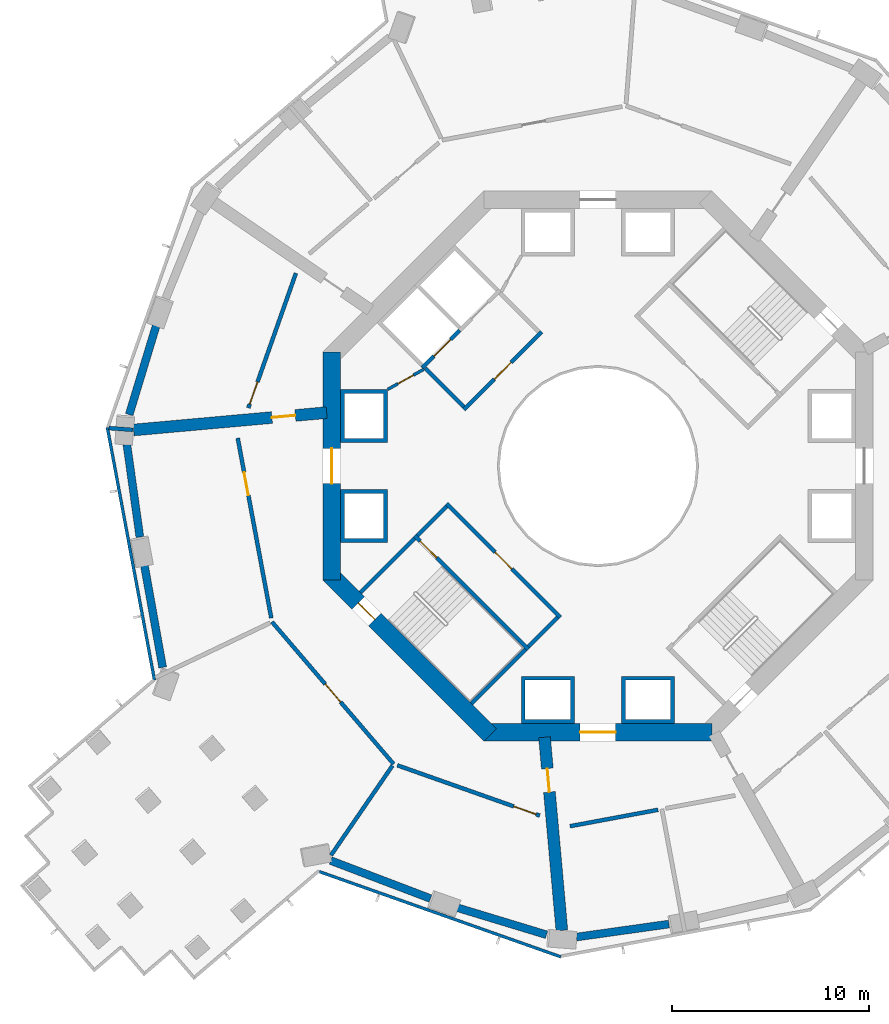
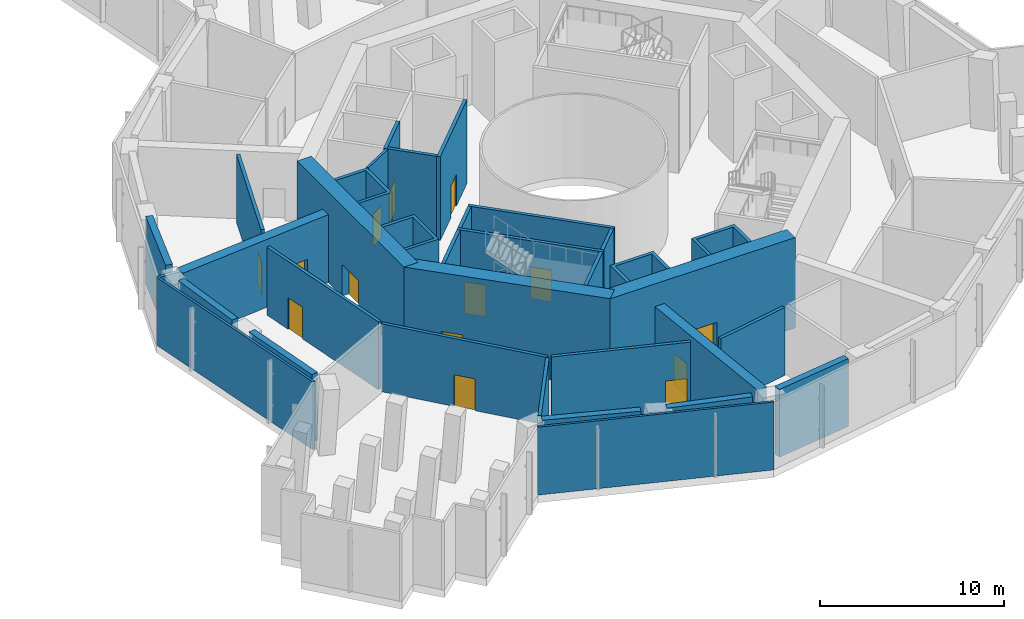
# One storey, part 3 of 20: 34 walls, 14 doors, 14 openings.
"""IFC4 building model written with IfcOpenShell, lengths in metres."""

from ifc_helpers import new_model, si_unit, direction, frame, frame_2d, origin, place, context, subcontext, project, spatial, polyline, rectangle, outline, extrude, material, layer, layer_set, type_object, element, fill, save


model = new_model("IFC4")

# Units and contexts
model_context = context("Model", 3, precision=1e-05, world=origin(), true_north=direction((0.0, 1.0)))
body_context = subcontext(model_context, "Body", "Model", "MODEL_VIEW")
ifc_project = project(units=[si_unit("LENGTHUNIT", "METRE"), si_unit("AREAUNIT", "SQUARE_METRE"), si_unit("VOLUMEUNIT", "CUBIC_METRE"), si_unit("PLANEANGLEUNIT", "RADIAN"), si_unit("MASSUNIT", "GRAM", prefix="KILO")], contexts=[model_context])

# Site, building, storey
site_placement = place(None, origin())
site = spatial("IfcSite", under=ifc_project, at=site_placement, CompositionType="ELEMENT")
building_placement = place(site_placement, origin())
building = spatial("IfcBuilding", under=site, at=building_placement, Name="Verdalira Terraces Hotel", CompositionType="ELEMENT")
storey_placement = place(building_placement, frame((0.0, 0.0, 75.0)))
storey = spatial("IfcBuildingStorey", under=building, at=storey_placement, Name="L17", CompositionType="ELEMENT", Elevation=75.0)

# Walls
ifc_material_1 = material(Name="Concrete C70", Category="concrete")
ifc_layer_1 = layer(ifc_material_1, 0.39990234375)
ifc_layer_set_1 = layer_set([ifc_layer_1], Name="Belt wall 400 C70")
wall_type_1 = type_object("IfcWallType", Name="Belt wall 400 C70", PredefinedType="SHEAR", material=ifc_layer_set_1)
wall_1_placement = place(storey_placement, frame((-22.471191, 7.168945, 0.0), z_axis=(0.0, 0.0, 1.0), x_axis=(-0.290307911, -0.956933288, 0.0)))
element("IfcWall", 1, at=wall_1_placement, inside=storey, type_object=wall_type_1, Name="Belt wall BW-17-4", PredefinedType="SHEAR", context=body_context, shape_type="SweptSolid", body=[
    extrude(rectangle(XDim=4.757324, YDim=0.399902, at=frame_2d((2.378662, 0.0))), origin(), (0.0, 0.0, 1.0), 4.5),
])
wall_2_placement = place(storey_placement, frame((-23.970215, 1.09668, 0.0), z_axis=(0.0, 0.0, 1.0), x_axis=(0.139085759, -0.99028034, 0.0)))
element("IfcWall", 2, at=wall_2_placement, inside=storey, type_object=wall_type_1, Name="Belt wall BW-17-5", PredefinedType="SHEAR", context=body_context, shape_type="SweptSolid", body=[
    extrude(rectangle(XDim=4.756836, YDim=0.399902, at=frame_2d((2.378418, 0.0))), origin(), (0.0, 0.0, 1.0), 4.5),
])
wall_3_placement = place(storey_placement, frame((-23.084717, -5.018799, 0.0), z_axis=(0.0, 0.0, 1.0), x_axis=(0.176102379, -0.984371857, 0.0)))
element("IfcWall", 3, at=wall_3_placement, inside=storey, type_object=wall_type_1, Name="Belt wall BW-17-6", PredefinedType="SHEAR", context=body_context, shape_type="SweptSolid", body=[
    extrude(rectangle(XDim=5.3125, YDim=0.399902, at=frame_2d((2.65625, 0.0))), origin(), (0.0, 0.0, 1.0), 4.5),
])
wall_4_placement = place(storey_placement, frame((-13.599121, -20.077148, 0.0), z_axis=(0.0, 0.0, 1.0), x_axis=(0.934607989, -0.3556795, 0.0)))
element("IfcWall", 4, at=wall_4_placement, inside=storey, type_object=wall_type_1, Name="Belt wall BW-17-7", PredefinedType="SHEAR", context=body_context, shape_type="SweptSolid", body=[
    extrude(rectangle(XDim=5.432861, YDim=0.399902, at=frame_2d((2.716309, 0.0))), origin(), (0.0, 0.0, 1.0), 4.5),
])
wall_5_placement = place(storey_placement, frame((-7.168945, -22.471191, 0.0), z_axis=(0.0, 0.0, 1.0), x_axis=(0.956933288, -0.290307911, 0.0)))
element("IfcWall", 5, at=wall_5_placement, inside=storey, type_object=wall_type_1, Name="Belt wall BW-17-8", PredefinedType="SHEAR", context=body_context, shape_type="SweptSolid", body=[
    extrude(rectangle(XDim=4.757324, YDim=0.399902, at=frame_2d((2.378662, 0.0))), origin(), (0.0, 0.0, 1.0), 4.5),
])
wall_6_placement = place(storey_placement, frame((-1.09668, -23.970215, 0.0), z_axis=(0.0, 0.0, 1.0), x_axis=(0.99028034, 0.139085759, 0.0)))
element("IfcWall", 6, at=wall_6_placement, inside=storey, type_object=wall_type_1, Name="Belt wall BW-17-9", PredefinedType="SHEAR", context=body_context, shape_type="SweptSolid", body=[
    extrude(rectangle(XDim=4.756836, YDim=0.399902, at=frame_2d((2.378418, 0.0))), origin(), (0.0, 0.0, 1.0), 4.5),
])
ifc_material_2 = material(Name="Concrete C50", Category="concrete")
ifc_layer_2 = layer(ifc_material_2, 0.199951171875)
ifc_layer_set_2 = layer_set([ifc_layer_2], Name="Core RC wall 200 C50")
wall_type_2 = type_object("IfcWallType", Name="Core RC wall 200 C50", PredefinedType="SOLIDWALL", material=ifc_layer_set_2)
wall_7_placement = place(storey_placement, origin())
element("IfcWall", 7, at=wall_7_placement, inside=storey, type_object=wall_type_2, Name="L17 shaft wall W1", PredefinedType="SOLIDWALL", context=body_context, shape_type="SweptSolid", body=[
    extrude(outline(polyline([(-13.100098, 1.199951), (-13.100098, 3.899902), (-10.699951, 3.899902), (-10.699951, 1.199951), (-13.100098, 1.199951)]), holes=[polyline([(-10.899902, 3.699951), (-12.899902, 3.699951), (-12.899902, 1.399902), (-10.899902, 1.399902), (-10.899902, 3.699951)])]), origin(), (0.0, 0.0, 1.0), 5.550049),
])
wall_8_placement = place(storey_placement, origin())
element("IfcWall", 8, at=wall_8_placement, inside=storey, type_object=wall_type_2, Name="L17 shaft wall W2", PredefinedType="SOLIDWALL", context=body_context, shape_type="SweptSolid", body=[
    extrude(outline(polyline([(-10.699951, -3.899902), (-13.100098, -3.899902), (-13.100098, -1.199951), (-10.699951, -1.199951), (-10.699951, -3.899902)]), holes=[polyline([(-12.899902, -1.399902), (-12.899902, -3.699951), (-10.899902, -3.699951), (-10.899902, -1.399902), (-12.899902, -1.399902)])]), origin(), (0.0, 0.0, 1.0), 5.550049),
])
wall_9_placement = place(storey_placement, origin())
element("IfcWall", 9, at=wall_9_placement, inside=storey, type_object=wall_type_2, Name="L17 shaft wall S1", PredefinedType="SOLIDWALL", context=body_context, shape_type="SweptSolid", body=[
    extrude(outline(polyline([(-1.199951, -13.100098), (-3.899902, -13.100098), (-3.899902, -10.699951), (-1.199951, -10.699951), (-1.199951, -13.100098)]), holes=[polyline([(-3.699951, -10.899902), (-3.699951, -12.899902), (-1.399902, -12.899902), (-1.399902, -10.899902), (-3.699951, -10.899902)])]), origin(), (0.0, 0.0, 1.0), 5.550049),
])
wall_10_placement = place(storey_placement, origin())
element("IfcWall", 10, at=wall_10_placement, inside=storey, type_object=wall_type_2, Name="L17 shaft wall S2", PredefinedType="SOLIDWALL", context=body_context, shape_type="SweptSolid", body=[
    extrude(outline(polyline([(3.899902, -10.699951), (3.899902, -13.100098), (1.199951, -13.100098), (1.199951, -10.699951), (3.899902, -10.699951)]), holes=[polyline([(1.399902, -12.899902), (3.699951, -12.899902), (3.699951, -10.899902), (1.399902, -10.899902), (1.399902, -12.899902)])]), origin(), (0.0, 0.0, 1.0), 5.550049),
])

# Wall, opening, door
wall_11_placement = place(storey_placement, frame((-7.035645, 6.894287, 0.0), z_axis=(0.0, 0.0, 1.0), x_axis=(-0.707106781, -0.707106781, 0.0)))
wall_11 = element("IfcWall", 11, at=wall_11_placement, inside=storey, type_object=wall_type_2, Name="L17 shaft front wall F2", PredefinedType="SOLIDWALL", context=body_context, shape_type="SweptSolid", body=[
    extrude(rectangle(XDim=2.699951, YDim=0.199951, at=frame_2d((1.350098, 0.0))), origin(), (0.0, 0.0, 1.0), 5.550049),
])
opening_1_placement = place(wall_11_placement, frame((0.649902, 0.0, 0.0)))
opening_1 = element("IfcOpeningElement", 12, at=opening_1_placement, cuts=wall_11, Name="Opening LD-L17-802", PredefinedType="OPENING", context=body_context, shape_type="SweptSolid", body=[
    extrude(rectangle(XDim=1.199951, YDim=2.100098, at=frame_2d((0.600098, 1.050049))), frame((0.0, 0.109863, 0.0), z_axis=(0.0, -1.0, 0.0), x_axis=(1.0, 0.0, 0.0)), (0.0, 0.0, 1.0), 0.219971),
])
ifc_material_3 = material(Name="Stainless steel", Category="steel")
door_type_1 = type_object("IfcDoorType", Name="Landing door 1200 x 2100", OperationType="NOTDEFINED", PredefinedType="DOOR", material=ifc_material_3)
door_1_placement = place(opening_1_placement, origin())
door_1 = element("IfcDoor", 13, at=door_1_placement, inside=storey, type_object=door_type_1, Name="Lift landing door LF12 L17", OperationType="DOUBLE_DOOR_SLIDING", OverallHeight=2.10009765625, OverallWidth=1.199951171875, PredefinedType="DOOR", context=body_context, shape_type="SweptSolid", body=[
    extrude(rectangle(XDim=1.199951, YDim=2.100098, at=frame_2d((0.600098, 1.050049))), frame((0.0, 0.024902, 0.0), z_axis=(0.0, -1.0, 0.0), x_axis=(1.0, 0.0, 0.0)), (0.0, 0.0, 1.0), 0.050049),
])
fill(opening_1, door_1)

wall_12_placement = place(storey_placement, frame((-3.5354, -9.33374, 0.0), z_axis=(0.0, 0.0, 1.0), x_axis=(-0.707106781, 0.707106781, 0.0)))
wall_12 = element("IfcWall", 14, at=wall_12_placement, inside=storey, type_object=wall_type_2, Name="L17 stair ST2 front wall", PredefinedType="SOLIDWALL", context=body_context, shape_type="SweptSolid", body=[
    extrude(rectangle(XDim=8.200195, YDim=0.199951, at=frame_2d((4.100098, 0.0))), origin(), (0.0, 0.0, 1.0), 5.550049),
])
opening_2_placement = place(wall_12_placement, frame((6.600098, 0.0, 0.0)))
opening_2 = element("IfcOpeningElement", 15, at=opening_2_placement, cuts=wall_12, Name="Opening L17-804", PredefinedType="OPENING", context=body_context, shape_type="SweptSolid", body=[
    extrude(rectangle(XDim=1.199951, YDim=2.100098, at=frame_2d((0.600098, 1.050049))), frame((0.0, 0.109863, 0.0), z_axis=(0.0, -1.0, 0.0), x_axis=(1.0, 0.0, 0.0)), (0.0, 0.0, 1.0), 0.219971),
])
ifc_material_4 = material(Name="Steel fire door", Category="steel")
door_type_2 = type_object("IfcDoorType", Name="Stair door 1200 x 2100", OperationType="NOTDEFINED", PredefinedType="DOOR", material=ifc_material_4)
door_2_placement = place(opening_2_placement, origin())
door_2 = element("IfcDoor", 16, at=door_2_placement, inside=storey, type_object=door_type_2, Name="Stair door ST2 L17", OperationType="SINGLE_SWING_RIGHT", OverallHeight=2.10009765625, OverallWidth=1.199951171875, PredefinedType="DOOR", context=body_context, shape_type="SweptSolid", body=[
    extrude(rectangle(XDim=1.199951, YDim=2.100098, at=frame_2d((0.600098, 1.050049))), frame((0.0, 0.024902, 0.0), z_axis=(0.0, -1.0, 0.0), x_axis=(1.0, 0.0, 0.0)), (0.0, 0.0, 1.0), 0.050049),
])
fill(opening_2, door_2)

# Walls
for number, where, z_axis, x_axis, name in (
    (17, (-9.33374, -3.677002, 0.0), (0.0, 0.0, 1.0), (-0.707106781, -0.707106781, 0.0), "L17 stair ST2 end wall 1"),
    (18, (-3.677002, -9.33374, 0.0), (0.0, 0.0, 1.0), (-0.707106781, -0.707106781, 0.0), "L17 stair ST2 end wall 2"),
):
    element("IfcWall", number, at=place(storey_placement, frame(where, z_axis=z_axis, x_axis=x_axis)), inside=storey, type_object=wall_type_2, Name=name, PredefinedType="SOLIDWALL", context=body_context, shape_type="SweptSolid", body=[
        extrude(rectangle(XDim=3.900146, YDim=0.199951, at=frame_2d((1.950195, 0.0))), origin(), (0.0, 0.0, 1.0), 5.550049),
    ])

# Wall, opening, door
wall_13_placement = place(storey_placement, frame((-2.86377, 6.823486, 0.0), z_axis=(0.0, 0.0, 1.0), x_axis=(-0.707106781, -0.707106781, 0.0)))
wall_13 = element("IfcWall", 19, at=wall_13_placement, inside=storey, type_object=wall_type_2, Name="L17 fire lobby wall", PredefinedType="SOLIDWALL", context=body_context, shape_type="SweptSolid", body=[
    extrude(rectangle(XDim=5.599854, YDim=0.199951, at=frame_2d((2.799805, 0.0))), origin(), (0.0, 0.0, 1.0), 5.550049),
])
opening_3_placement = place(wall_13_placement, frame((2.199951, 0.0, 0.0)))
opening_3 = element("IfcOpeningElement", 20, at=opening_3_placement, cuts=wall_13, Name="Opening L17-813", PredefinedType="OPENING", context=body_context, shape_type="SweptSolid", body=[
    extrude(rectangle(XDim=1.199951, YDim=2.100098, at=frame_2d((0.600098, 1.050049))), frame((0.0, 0.109863, 0.0), z_axis=(0.0, -1.0, 0.0), x_axis=(1.0, 0.0, 0.0)), (0.0, 0.0, 1.0), 0.219971),
])
ifc_material_5 = material(Name="Steel fire door", Category="steel")
door_type_3 = type_object("IfcDoorType", Name="Lobby door 1200 x 2100", OperationType="NOTDEFINED", PredefinedType="DOOR", material=ifc_material_5)
door_3_placement = place(opening_3_placement, origin())
door_3 = element("IfcDoor", 21, at=door_3_placement, inside=storey, type_object=door_type_3, Name="Fire lobby door L17", OperationType="SINGLE_SWING_LEFT", OverallHeight=2.10009765625, OverallWidth=1.199951171875, PredefinedType="DOOR", context=body_context, shape_type="SweptSolid", body=[
    extrude(rectangle(XDim=1.199951, YDim=2.100098, at=frame_2d((0.600098, 1.050049))), frame((0.0, 0.024902, 0.0), z_axis=(0.0, -1.0, 0.0), x_axis=(1.0, 0.0, 0.0)), (0.0, 0.0, 1.0), 0.050049),
])
fill(opening_3, door_3)

# Wall
wall_14_placement = place(storey_placement, frame((-6.823486, 3.005127, 0.0), z_axis=(0.0, 0.0, 1.0), x_axis=(-0.707106781, 0.707106781, 0.0)))
element("IfcWall", 22, at=wall_14_placement, inside=storey, type_object=wall_type_2, Name="L17 fire lobby wall", PredefinedType="SOLIDWALL", context=body_context, shape_type="SweptSolid", body=[
    extrude(rectangle(XDim=2.800049, YDim=0.199951, at=frame_2d((1.399902, 0.0))), origin(), (0.0, 0.0, 1.0), 5.550049),
])

# Wall, opening, door
wall_15_placement = place(storey_placement, frame((-7.70752, -1.90918, 0.0), z_axis=(0.0, 0.0, 1.0), x_axis=(0.707106781, -0.707106781, 0.0)))
wall_15 = element("IfcWall", 23, at=wall_15_placement, inside=storey, type_object=wall_type_2, Name="Stair lobby wall ST2 L17", PredefinedType="SOLIDWALL", context=body_context, shape_type="SweptSolid", body=[
    extrude(rectangle(XDim=8.200195, YDim=0.199951, at=frame_2d((4.100098, 0.0))), origin(), (0.0, 0.0, 1.0), 5.550049),
])
opening_4_placement = place(wall_15_placement, frame((3.5, 0.0, 0.0)))
opening_4 = element("IfcOpeningElement", 24, at=opening_4_placement, cuts=wall_15, Name="Opening L17-817", PredefinedType="OPENING", context=body_context, shape_type="SweptSolid", body=[
    extrude(rectangle(XDim=1.199951, YDim=2.100098, at=frame_2d((0.600098, 1.050049))), frame((0.0, 0.109863, 0.0), z_axis=(0.0, -1.0, 0.0), x_axis=(1.0, 0.0, 0.0)), (0.0, 0.0, 1.0), 0.219971),
])
door_4_placement = place(opening_4_placement, origin())
door_4 = element("IfcDoor", 25, at=door_4_placement, inside=storey, type_object=door_type_3, Name="Door L17 lobbyST2", OperationType="SINGLE_SWING_LEFT", OverallHeight=2.10009765625, OverallWidth=1.199951171875, PredefinedType="DOOR", context=body_context, shape_type="SweptSolid", body=[
    extrude(rectangle(XDim=1.199951, YDim=2.100098, at=frame_2d((0.600098, 1.050049))), frame((0.0, 0.024902, 0.0), z_axis=(0.0, -1.0, 0.0), x_axis=(1.0, 0.0, 0.0)), (0.0, 0.0, 1.0), 0.050049),
])
fill(opening_4, door_4)

# Walls
for number, where, z_axis, x_axis, name in (
    (26, (-7.70752, -2.050537, 0.0), (0.0, 0.0, 1.0), (-0.707106781, -0.707106781, 0.0), "Stair lobby wall ST2 L17"),
    (27, (-2.050537, -7.70752, 0.0), (0.0, 0.0, 1.0), (-0.707106781, -0.707106781, 0.0), "Stair lobby wall ST2 L17"),
):
    element("IfcWall", number, at=place(storey_placement, frame(where, z_axis=z_axis, x_axis=x_axis)), inside=storey, type_object=wall_type_2, Name=name, PredefinedType="SOLIDWALL", context=body_context, shape_type="SweptSolid", body=[
        extrude(rectangle(XDim=2.099854, YDim=0.199951, at=frame_2d((1.049805, 0.0))), origin(), (0.0, 0.0, 1.0), 5.550049),
    ])

# Wall, opening, door
ifc_material_6 = material(Name="Gypsum board partition")
ifc_layer_3 = layer(ifc_material_6, 0.14990234375)
ifc_layer_set_3 = layer_set([ifc_layer_3], Name="Core partition 150 mm")
wall_type_3 = type_object("IfcWallType", Name="Core partition 150 mm", PredefinedType="PARTITIONING", material=ifc_layer_set_3)
wall_16_placement = place(storey_placement, frame((-8.874268, 4.914307, 0.0), z_axis=(0.0, 0.0, 1.0), x_axis=(-0.874129705, -0.485692555, 0.0)))
wall_16 = element("IfcWall", 28, at=wall_16_placement, inside=storey, type_object=wall_type_3, Name="Room partition L17", PredefinedType="PARTITIONING", context=body_context, shape_type="SweptSolid", body=[
    extrude(rectangle(XDim=2.088623, YDim=0.149902, at=frame_2d((1.044434, 0.0))), origin(), (0.0, 0.0, 1.0), 5.550049),
])
opening_5_placement = place(wall_16_placement, frame((0.594238, 0.0, 0.0)))
opening_5 = element("IfcOpeningElement", 29, at=opening_5_placement, cuts=wall_16, Name="Opening L17-815", PredefinedType="OPENING", context=body_context, shape_type="SweptSolid", body=[
    extrude(rectangle(XDim=0.899902, YDim=2.100098, at=frame_2d((0.449951, 1.050049))), frame((0.0, 0.084961, 0.0), z_axis=(0.0, -1.0, 0.0), x_axis=(1.0, 0.0, 0.0)), (0.0, 0.0, 1.0), 0.169922),
])
ifc_material_7 = material(Name="Steel fire door", Category="steel")
door_type_4 = type_object("IfcDoorType", Name="Core room door 900 x 2100", OperationType="NOTDEFINED", PredefinedType="DOOR", material=ifc_material_7)
door_5_placement = place(opening_5_placement, origin())
door_5 = element("IfcDoor", 30, at=door_5_placement, inside=storey, type_object=door_type_4, Name="Door L17 room3", OperationType="SINGLE_SWING_LEFT", OverallHeight=2.10009765625, OverallWidth=0.89990234375, PredefinedType="DOOR", context=body_context, shape_type="SweptSolid", body=[
    extrude(rectangle(XDim=0.899902, YDim=2.100098, at=frame_2d((0.449951, 1.050049))), frame((0.0, 0.024902, 0.0), z_axis=(0.0, -1.0, 0.0), x_axis=(1.0, 0.0, 0.0)), (0.0, 0.0, 1.0), 0.050049),
])
fill(opening_5, door_5)

ifc_material_8 = material(Name="Concrete C70", Category="concrete")
ifc_layer_4 = layer(ifc_material_8, 0.89990234375)
ifc_layer_set_4 = layer_set([ifc_layer_4], Name="Core wall 900 C70")
wall_type_4 = type_object("IfcWallType", Name="Core wall 900 C70", PredefinedType="SHEAR", material=ifc_layer_set_4)
wall_17_placement = place(storey_placement, frame((-13.550049, 5.799072, 0.0), z_axis=(0.0, 0.0, 1.0), x_axis=(0.0, -1.0, 0.0)))
wall_17 = element("IfcWall", 31, at=wall_17_placement, inside=storey, type_object=wall_type_4, Name="Core wall CW-L17-5", PredefinedType="SHEAR", context=body_context, shape_type="SweptSolid", body=[
    extrude(rectangle(XDim=11.598145, YDim=0.899902, at=frame_2d((5.799072, 0.0))), origin(), (0.0, 0.0, 1.0), 6.0),
])
opening_6_placement = place(wall_17_placement, frame((4.898926, 0.0, 0.0)))
opening_6 = element("IfcOpeningElement", 32, at=opening_6_placement, cuts=wall_17, Name="Opening L17-808", PredefinedType="OPENING", context=body_context, shape_type="SweptSolid", body=[
    extrude(rectangle(XDim=1.800049, YDim=2.100098, at=frame_2d((0.899902, 1.050049))), frame((0.0, 0.459961, 0.0), z_axis=(0.0, -1.0, 0.0), x_axis=(1.0, 0.0, 0.0)), (0.0, 0.0, 1.0), 0.919922),
])
ifc_material_9 = material(Name="Steel fire door", Category="steel")
door_type_5 = type_object("IfcDoorType", Name="Core entry door pair 1800 x 2100", OperationType="NOTDEFINED", PredefinedType="DOOR", material=ifc_material_9)
door_6_placement = place(opening_6_placement, origin())
door_6 = element("IfcDoor", 33, at=door_6_placement, inside=storey, type_object=door_type_5, Name="Core entry door L17 4", OperationType="DOUBLE_DOOR_SINGLE_SWING", OverallHeight=2.10009765625, OverallWidth=1.800048828125, PredefinedType="DOOR", context=body_context, shape_type="SweptSolid", body=[
    extrude(rectangle(XDim=1.800049, YDim=2.100098, at=frame_2d((0.899902, 1.050049))), frame((0.0, 0.024902, 0.0), z_axis=(0.0, -1.0, 0.0), x_axis=(1.0, 0.0, 0.0)), (0.0, 0.0, 1.0), 0.050049),
])
fill(opening_6, door_6)

wall_18_placement = place(storey_placement, frame((-13.681885, -5.480713, 0.0), z_axis=(0.0, 0.0, 1.0), x_axis=(0.707106781, -0.707106781, 0.0)))
wall_18 = element("IfcWall", 34, at=wall_18_placement, inside=storey, type_object=wall_type_4, Name="Core wall CW-L17-6", PredefinedType="SHEAR", context=body_context, shape_type="SweptSolid", body=[
    extrude(rectangle(XDim=11.598145, YDim=0.899902, at=frame_2d((5.799072, 0.0))), origin(), (0.0, 0.0, 1.0), 6.0),
])
opening_7_placement = place(wall_18_placement, frame((2.099121, 0.0, 0.0)))
opening_7 = element("IfcOpeningElement", 35, at=opening_7_placement, cuts=wall_18, Name="Opening L17-811", PredefinedType="OPENING", context=body_context, shape_type="SweptSolid", body=[
    extrude(rectangle(XDim=1.199951, YDim=2.100098, at=frame_2d((0.600098, 1.050049))), frame((0.0, 0.459961, 0.0), z_axis=(0.0, -1.0, 0.0), x_axis=(1.0, 0.0, 0.0)), (0.0, 0.0, 1.0), 0.919922),
])
door_7_placement = place(opening_7_placement, origin())
door_7 = element("IfcDoor", 36, at=door_7_placement, inside=storey, type_object=door_type_2, Name="Stair exit door ST2 L17", OperationType="SINGLE_SWING_LEFT", OverallHeight=2.10009765625, OverallWidth=1.199951171875, PredefinedType="DOOR", context=body_context, shape_type="SweptSolid", body=[
    extrude(rectangle(XDim=1.199951, YDim=2.100098, at=frame_2d((0.600098, 1.050049))), frame((0.0, 0.024902, 0.0), z_axis=(0.0, -1.0, 0.0), x_axis=(1.0, 0.0, 0.0)), (0.0, 0.0, 1.0), 0.050049),
])
fill(opening_7, door_7)

wall_19_placement = place(storey_placement, frame((-5.799072, -13.550049, 0.0), z_axis=(0.0, 0.0, 1.0), x_axis=(1.0, 0.0, 0.0)))
wall_19 = element("IfcWall", 37, at=wall_19_placement, inside=storey, type_object=wall_type_4, Name="Core wall CW-L17-7", PredefinedType="SHEAR", context=body_context, shape_type="SweptSolid", body=[
    extrude(rectangle(XDim=11.598145, YDim=0.899902, at=frame_2d((5.799072, 0.0))), origin(), (0.0, 0.0, 1.0), 6.0),
])
opening_8_placement = place(wall_19_placement, frame((4.898926, 0.0, 0.0)))
opening_8 = element("IfcOpeningElement", 38, at=opening_8_placement, cuts=wall_19, Name="Opening L17-809", PredefinedType="OPENING", context=body_context, shape_type="SweptSolid", body=[
    extrude(rectangle(XDim=1.800049, YDim=2.100098, at=frame_2d((0.899902, 1.050049))), frame((0.0, 0.459961, 0.0), z_axis=(0.0, -1.0, 0.0), x_axis=(1.0, 0.0, 0.0)), (0.0, 0.0, 1.0), 0.919922),
])
door_8_placement = place(opening_8_placement, origin())
door_8 = element("IfcDoor", 39, at=door_8_placement, inside=storey, type_object=door_type_5, Name="Core entry door L17 6", OperationType="DOUBLE_DOOR_SINGLE_SWING", OverallHeight=2.10009765625, OverallWidth=1.800048828125, PredefinedType="DOOR", context=body_context, shape_type="SweptSolid", body=[
    extrude(rectangle(XDim=1.800049, YDim=2.100098, at=frame_2d((0.899902, 1.050049))), frame((0.0, 0.024902, 0.0), z_axis=(0.0, -1.0, 0.0), x_axis=(1.0, 0.0, 0.0)), (0.0, 0.0, 1.0), 0.050049),
])
fill(opening_8, door_8)

ifc_material_10 = material(Name="Concrete C70", Category="concrete")
ifc_layer_5 = layer(ifc_material_10, 0.60009765625)
ifc_layer_set_5 = layer_set([ifc_layer_5], Name="Outrigger wall 600 C70")
wall_type_5 = type_object("IfcWallType", Name="Outrigger wall 600 C70", PredefinedType="SHEAR", material=ifc_layer_set_5)
wall_20_placement = place(storey_placement, frame((-13.800781, 2.718018, 0.0), z_axis=(0.0, 0.0, 1.0), x_axis=(-0.995986555, -0.089502977, 0.0)))
wall_20 = element("IfcWall", 40, at=wall_20_placement, inside=storey, type_object=wall_type_5, Name="Outrigger wall OW-17-2", PredefinedType="SHEAR", context=body_context, shape_type="SweptSolid", body=[
    extrude(rectangle(XDim=9.868896, YDim=0.600098, at=frame_2d((4.93457, 0.0))), origin(), (0.0, 0.0, 1.0), 4.5),
])
opening_9_placement = place(wall_20_placement, frame((1.600098, 0.0, 0.0)))
opening_9 = element("IfcOpeningElement", 41, at=opening_9_placement, cuts=wall_20, Name="Opening L17-102", PredefinedType="OPENING", context=body_context, shape_type="SweptSolid", body=[
    extrude(rectangle(XDim=1.199951, YDim=2.100098, at=frame_2d((0.600098, 1.050049))), frame((0.0, 0.310059, 0.0), z_axis=(0.0, -1.0, 0.0), x_axis=(1.0, 0.0, 0.0)), (0.0, 0.0, 1.0), 0.620117),
])
ifc_material_11 = material(Name="Steel fire door", Category="steel")
door_type_6 = type_object("IfcDoorType", Name="Plant room door 1200 x 2100", OperationType="NOTDEFINED", PredefinedType="DOOR", material=ifc_material_11)
door_9_placement = place(opening_9_placement, origin())
door_9 = element("IfcDoor", 42, at=door_9_placement, inside=storey, type_object=door_type_6, Name="Plant room door", OperationType="SINGLE_SWING_LEFT", OverallHeight=2.10009765625, OverallWidth=1.199951171875, PredefinedType="DOOR", context=body_context, shape_type="SweptSolid", body=[
    extrude(rectangle(XDim=1.199951, YDim=2.100098, at=frame_2d((0.600098, 1.050049))), frame((0.0, 0.024902, 0.0), z_axis=(0.0, -1.0, 0.0), x_axis=(1.0, 0.0, 0.0)), (0.0, 0.0, 1.0), 0.050049),
])
fill(opening_9, door_9)

wall_21_placement = place(storey_placement, frame((-2.718018, -13.800781, 0.0), z_axis=(0.0, 0.0, 1.0), x_axis=(0.089502977, -0.995986555, 0.0)))
wall_21 = element("IfcWall", 43, at=wall_21_placement, inside=storey, type_object=wall_type_5, Name="Outrigger wall OW-17-3", PredefinedType="SHEAR", context=body_context, shape_type="SweptSolid", body=[
    extrude(rectangle(XDim=9.868896, YDim=0.600098, at=frame_2d((4.93457, 0.0))), origin(), (0.0, 0.0, 1.0), 4.5),
])
opening_10_placement = place(wall_21_placement, frame((1.600098, 0.0, 0.0)))
opening_10 = element("IfcOpeningElement", 44, at=opening_10_placement, cuts=wall_21, Name="Opening L17-103", PredefinedType="OPENING", context=body_context, shape_type="SweptSolid", body=[
    extrude(rectangle(XDim=1.199951, YDim=2.100098, at=frame_2d((0.600098, 1.050049))), frame((0.0, 0.310059, 0.0), z_axis=(0.0, -1.0, 0.0), x_axis=(1.0, 0.0, 0.0)), (0.0, 0.0, 1.0), 0.620117),
])
door_10_placement = place(opening_10_placement, origin())
door_10 = element("IfcDoor", 45, at=door_10_placement, inside=storey, type_object=door_type_6, Name="Plant room door", OperationType="SINGLE_SWING_LEFT", OverallHeight=2.10009765625, OverallWidth=1.199951171875, PredefinedType="DOOR", context=body_context, shape_type="SweptSolid", body=[
    extrude(rectangle(XDim=1.199951, YDim=2.100098, at=frame_2d((0.600098, 1.050049))), frame((0.0, 0.024902, 0.0), z_axis=(0.0, -1.0, 0.0), x_axis=(1.0, 0.0, 0.0)), (0.0, 0.0, 1.0), 0.050049),
])
fill(opening_10, door_10)

# Wall
ifc_material_12 = material(Name="Fire-rated concrete block wall", Category="concrete")
ifc_layer_6 = layer(ifc_material_12, 0.199951171875)
ifc_layer_set_6 = layer_set([ifc_layer_6], Name="Plant room wall 200 mm")
wall_type_6 = type_object("IfcWallType", Name="Plant room wall 200 mm", PredefinedType="SOLIDWALL", material=ifc_layer_set_6)
wall_22_placement = place(storey_placement, frame((-23.666992, 1.837646, 0.0), z_axis=(0.0, 0.0, 1.0), x_axis=(-0.996994435, 0.077473199, 0.0)))
element("IfcWall", 46, at=wall_22_placement, inside=storey, type_object=wall_type_6, Name="Plant room wall", PredefinedType="SOLIDWALL", context=body_context, shape_type="SweptSolid", body=[
    extrude(rectangle(XDim=1.22583, YDim=0.199951, at=frame_2d((0.612793, 0.0))), origin(), (0.0, 0.0, 1.0), 4.5),
])

# Wall, opening, door
wall_23_placement = place(storey_placement, frame((-16.622314, -7.735596, 0.0), z_axis=(0.0, 0.0, 1.0), x_axis=(-0.18325367, 0.98306566, 0.0)))
wall_23 = element("IfcWall", 47, at=wall_23_placement, inside=storey, type_object=wall_type_6, Name="Plant room wall", PredefinedType="SOLIDWALL", context=body_context, shape_type="SweptSolid", body=[
    extrude(rectangle(XDim=9.316406, YDim=0.199951, at=frame_2d((4.658203, 0.0))), origin(), (0.0, 0.0, 1.0), 4.5),
])
opening_11_placement = place(wall_23_placement, frame((6.350098, 0.0, 0.0)))
opening_11 = element("IfcOpeningElement", 48, at=opening_11_placement, cuts=wall_23, Name="Opening L17-110", PredefinedType="OPENING", context=body_context, shape_type="SweptSolid", body=[
    extrude(rectangle(XDim=1.199951, YDim=2.100098, at=frame_2d((0.600098, 1.050049))), frame((0.0, 0.109863, 0.0), z_axis=(0.0, -1.0, 0.0), x_axis=(1.0, 0.0, 0.0)), (0.0, 0.0, 1.0), 0.219971),
])
door_11_placement = place(opening_11_placement, origin())
door_11 = element("IfcDoor", 49, at=door_11_placement, inside=storey, type_object=door_type_6, Name="Plant room door 1704", OperationType="SINGLE_SWING_LEFT", OverallHeight=2.10009765625, OverallWidth=1.199951171875, PredefinedType="DOOR", context=body_context, shape_type="SweptSolid", body=[
    extrude(rectangle(XDim=1.199951, YDim=2.100098, at=frame_2d((0.600098, 1.050049))), frame((0.0, 0.024902, 0.0), z_axis=(0.0, -1.0, 0.0), x_axis=(1.0, 0.0, 0.0)), (0.0, 0.0, 1.0), 0.050049),
])
fill(opening_11, door_11)

wall_24_placement = place(storey_placement, frame((-17.787109, 2.960449, 0.0), z_axis=(0.0, 0.0, 1.0), x_axis=(0.332834181, 0.94298537, 0.0)))
wall_24 = element("IfcWall", 50, at=wall_24_placement, inside=storey, type_object=wall_type_6, Name="Plant room wall", PredefinedType="SOLIDWALL", context=body_context, shape_type="SweptSolid", body=[
    extrude(rectangle(XDim=7.264893, YDim=0.199951, at=frame_2d((3.632324, 0.0))), origin(), (0.0, 0.0, 1.0), 4.5),
])
opening_12_placement = place(wall_24_placement, frame((0.199951, 0.0, 0.0)))
opening_12 = element("IfcOpeningElement", 51, at=opening_12_placement, cuts=wall_24, Name="Opening L17-109", PredefinedType="OPENING", context=body_context, shape_type="SweptSolid", body=[
    extrude(rectangle(XDim=1.199951, YDim=2.100098, at=frame_2d((0.600098, 1.050049))), frame((0.0, 0.109863, 0.0), z_axis=(0.0, -1.0, 0.0), x_axis=(1.0, 0.0, 0.0)), (0.0, 0.0, 1.0), 0.219971),
])
door_12_placement = place(opening_12_placement, origin())
door_12 = element("IfcDoor", 52, at=door_12_placement, inside=storey, type_object=door_type_6, Name="Plant room door 1703", OperationType="SINGLE_SWING_LEFT", OverallHeight=2.10009765625, OverallWidth=1.199951171875, PredefinedType="DOOR", context=body_context, shape_type="SweptSolid", body=[
    extrude(rectangle(XDim=1.199951, YDim=2.100098, at=frame_2d((0.600098, 1.050049))), frame((0.0, 0.024902, 0.0), z_axis=(0.0, -1.0, 0.0), x_axis=(1.0, 0.0, 0.0)), (0.0, 0.0, 1.0), 0.050049),
])
fill(opening_12, door_12)

wall_25_placement = place(storey_placement, frame((-10.397461, -15.162109, 0.0), z_axis=(0.0, 0.0, 1.0), x_axis=(-0.650250342, 0.75972001, 0.0)))
wall_25 = element("IfcWall", 53, at=wall_25_placement, inside=storey, type_object=wall_type_6, Name="Plant room wall", PredefinedType="SOLIDWALL", context=body_context, shape_type="SweptSolid", body=[
    extrude(rectangle(XDim=9.516357, YDim=0.199951, at=frame_2d((4.758301, 0.0))), origin(), (0.0, 0.0, 1.0), 4.5),
])
opening_13_placement = place(wall_25_placement, frame((4.149902, 0.0, 0.0)))
opening_13 = element("IfcOpeningElement", 54, at=opening_13_placement, cuts=wall_25, Name="Opening L17-111", PredefinedType="OPENING", context=body_context, shape_type="SweptSolid", body=[
    extrude(rectangle(XDim=1.199951, YDim=2.100098, at=frame_2d((0.600098, 1.050049))), frame((0.0, 0.109863, 0.0), z_axis=(0.0, -1.0, 0.0), x_axis=(1.0, 0.0, 0.0)), (0.0, 0.0, 1.0), 0.219971),
])
door_13_placement = place(opening_13_placement, origin())
door_13 = element("IfcDoor", 55, at=door_13_placement, inside=storey, type_object=door_type_6, Name="Plant room door 1705", OperationType="SINGLE_SWING_LEFT", OverallHeight=2.10009765625, OverallWidth=1.199951171875, PredefinedType="DOOR", context=body_context, shape_type="SweptSolid", body=[
    extrude(rectangle(XDim=1.199951, YDim=2.100098, at=frame_2d((0.600098, 1.050049))), frame((0.0, 0.024902, 0.0), z_axis=(0.0, -1.0, 0.0), x_axis=(1.0, 0.0, 0.0)), (0.0, 0.0, 1.0), 0.050049),
])
fill(opening_13, door_13)

# Wall
wall_26_placement = place(storey_placement, frame((-10.456055, -15.247803, 0.0), z_axis=(0.0, 0.0, 1.0), x_axis=(-0.565562702, -0.824705299, 0.0)))
element("IfcWall", 56, at=wall_26_placement, inside=storey, type_object=wall_type_6, Name="Plant room wall", PredefinedType="SOLIDWALL", context=body_context, shape_type="SweptSolid", body=[
    extrude(rectangle(XDim=5.525391, YDim=0.199951, at=frame_2d((2.762695, 0.0))), origin(), (0.0, 0.0, 1.0), 4.5),
])

# Wall, opening, door
wall_27_placement = place(storey_placement, frame((-2.960449, -17.787109, 0.0), z_axis=(0.0, 0.0, 1.0), x_axis=(-0.942995025, 0.332806826, 0.0)))
wall_27 = element("IfcWall", 57, at=wall_27_placement, inside=storey, type_object=wall_type_6, Name="Plant room wall", PredefinedType="SOLIDWALL", context=body_context, shape_type="SweptSolid", body=[
    extrude(rectangle(XDim=7.686523, YDim=0.199951, at=frame_2d((3.843262, 0.0))), origin(), (0.0, 0.0, 1.0), 4.5),
])
opening_14_placement = place(wall_27_placement, frame((0.199951, 0.0, 0.0)))
opening_14 = element("IfcOpeningElement", 58, at=opening_14_placement, cuts=wall_27, Name="Opening L17-112", PredefinedType="OPENING", context=body_context, shape_type="SweptSolid", body=[
    extrude(rectangle(XDim=1.199951, YDim=2.100098, at=frame_2d((0.600098, 1.050049))), frame((0.0, 0.109863, 0.0), z_axis=(0.0, -1.0, 0.0), x_axis=(1.0, 0.0, 0.0)), (0.0, 0.0, 1.0), 0.219971),
])
door_14_placement = place(opening_14_placement, origin())
door_14 = element("IfcDoor", 59, at=door_14_placement, inside=storey, type_object=door_type_6, Name="Plant room door 1706", OperationType="SINGLE_SWING_LEFT", OverallHeight=2.10009765625, OverallWidth=1.199951171875, PredefinedType="DOOR", context=body_context, shape_type="SweptSolid", body=[
    extrude(rectangle(XDim=1.199951, YDim=2.100098, at=frame_2d((0.600098, 1.050049))), frame((0.0, 0.024902, 0.0), z_axis=(0.0, -1.0, 0.0), x_axis=(1.0, 0.0, 0.0)), (0.0, 0.0, 1.0), 0.050049),
])
fill(opening_14, door_14)

# Walls
wall_28_placement = place(storey_placement, frame((-1.422607, -18.32959, 0.0), z_axis=(0.0, 0.0, 1.0), x_axis=(0.983056045, 0.183305241, 0.0)))
element("IfcWall", 60, at=wall_28_placement, inside=storey, type_object=wall_type_6, Name="Plant room wall", PredefinedType="SOLIDWALL", context=body_context, shape_type="SweptSolid", body=[
    extrude(rectangle(XDim=4.557617, YDim=0.199951, at=frame_2d((2.278809, 0.0))), origin(), (0.0, 0.0, 1.0), 4.5),
])
ifc_material_13 = material(Name="Terracotta cladding", Category="masonry")
ifc_layer_7 = layer(ifc_material_13, 0.14990234375)
ifc_layer_set_7 = layer_set([ifc_layer_7], Name="Terracotta clad wall 150")
wall_type_7 = type_object("IfcWallType", Name="Terracotta clad wall 150", PredefinedType="SOLIDWALL", material=ifc_layer_set_7)
wall_29_placement = place(storey_placement, frame((-24.965088, 1.958008, 0.0), z_axis=(0.0, 0.0, 1.0), x_axis=(0.183269277, -0.983062751, 0.0)))
element("IfcWall", 61, at=wall_29_placement, inside=storey, type_object=wall_type_7, Name="Terracotta cladding wall", PredefinedType="SOLIDWALL", context=body_context, shape_type="SweptSolid", body=[
    extrude(rectangle(XDim=13.074951, YDim=0.149902, at=frame_2d((6.537598, 0.0))), origin(), (0.0, 0.0, 1.0), 4.5),
])
wall_30_placement = place(storey_placement, frame((-14.188965, -20.637451, 0.0), z_axis=(0.0, 0.0, 1.0), x_axis=(0.942990679, -0.332819139, 0.0)))
element("IfcWall", 62, at=wall_30_placement, inside=storey, type_object=wall_type_7, Name="Terracotta cladding wall", PredefinedType="SOLIDWALL", context=body_context, shape_type="SweptSolid", body=[
    extrude(rectangle(XDim=13.046143, YDim=0.149902, at=frame_2d((6.522949, 0.0))), origin(), (0.0, 0.0, 1.0), 4.5),
])

save(model, "model.ifc")
